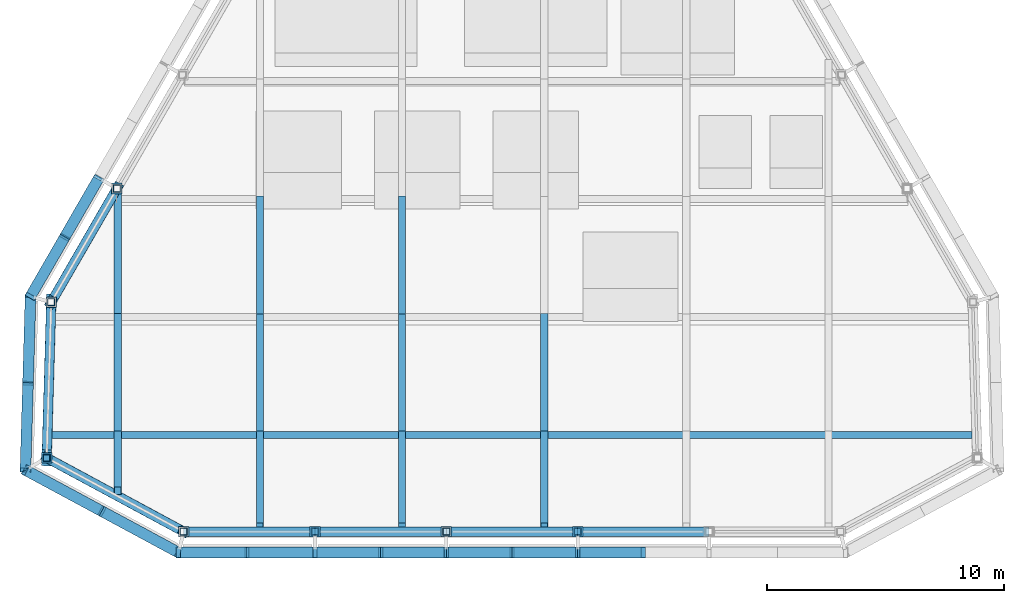
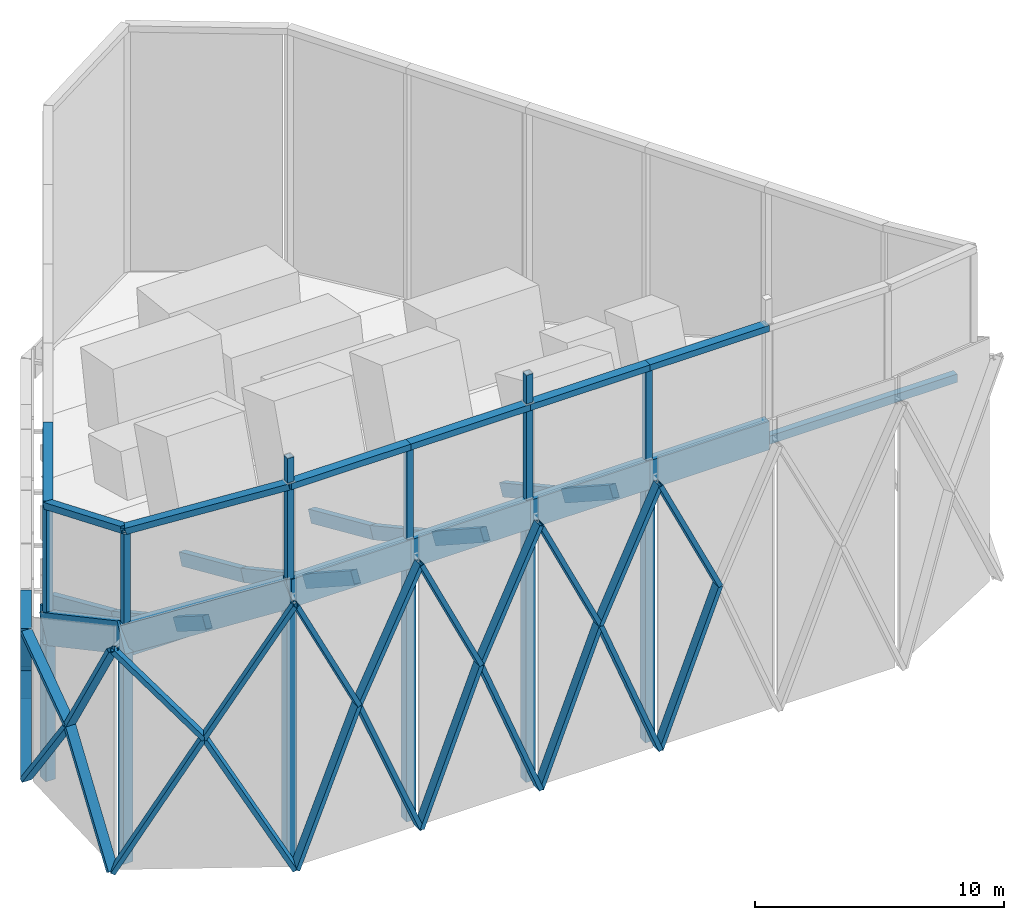
# One storey, part 1 of 13: 53 members, 15 beams.
"""IFC4 building model written with IfcOpenShell, lengths in metres."""

from ifc_helpers import new_model, si_unit, direction, frame, origin, origin_2d, place, context, subcontext, project, spatial, rectangle, hollow_rectangle, extrude, material, material_profile, profile_set, type_object, element, save


model = new_model("IFC4")

# Units and contexts
model_context = context("Model", 3, precision=1e-05, world=origin(), true_north=direction((0.0, 1.0)))
body_context = subcontext(model_context, "Body", "Model", "MODEL_VIEW")
ifc_project = project(units=[si_unit("LENGTHUNIT", "METRE"), si_unit("AREAUNIT", "SQUARE_METRE"), si_unit("VOLUMEUNIT", "CUBIC_METRE"), si_unit("PLANEANGLEUNIT", "RADIAN"), si_unit("MASSUNIT", "GRAM", prefix="KILO")], contexts=[model_context])

# Site, building, storey
site_placement = place(None, origin())
site = spatial("IfcSite", under=ifc_project, at=site_placement, CompositionType="ELEMENT")
building_placement = place(site_placement, origin())
building = spatial("IfcBuilding", under=site, at=building_placement, Name="Firuza Gate Tower and Library", CompositionType="ELEMENT")
storey_placement = place(building_placement, frame((0.0, 0.0, 358.0)))
storey = spatial("IfcBuildingStorey", under=building, at=storey_placement, Name="Upper roof", CompositionType="ELEMENT", Elevation=358.0)

# Beams
ifc_material_1 = material(Name="Steel S355", Category="steel")
ifc_material_profile_1 = material_profile(ifc_material_1, hollow_rectangle(XDim=0.406494140625, YDim=0.3046875, WallThickness=0.01171875, at=origin_2d()))
ifc_profile_set_1 = profile_set([ifc_material_profile_1], Name="Steel S355")
beam_type_1 = type_object("IfcBeamType", Name="Crest cap beam HSS305x406x13", PredefinedType="BEAM", material=ifc_profile_set_1)
beam_1_placement = place(storey_placement, frame((55.55078125, 70.22802734375, 13.00634765625), z_axis=(-0.026783302788, -0.916697724669, 0.398682751417), x_axis=(0.999573451893, -0.029204696052, 0.0)))
element("IfcBeam", 1, at=beam_1_placement, inside=storey, type_object=beam_type_1, Name="Crest cap beam 1", PredefinedType="BEAM", context=body_context, shape_type="SweptSolid", body=[
    extrude(hollow_rectangle(XDim=0.406494140625, YDim=0.3046875, WallThickness=0.01171875, at=origin_2d()), origin(), (0.0, 0.0, 1.0), 7.164794921875),
])
beam_2_placement = place(storey_placement, frame((55.35888671875, 63.66015625, 15.86279296875), z_axis=(0.840553985323, -0.453078147507, 0.296966647974), x_axis=(0.474483099282, 0.880264612771, 0.0)))
element("IfcBeam", 2, at=beam_2_placement, inside=storey, type_object=beam_type_1, Name="Crest cap beam 2", PredefinedType="BEAM", context=body_context, shape_type="SweptSolid", body=[
    extrude(hollow_rectangle(XDim=0.406494140625, YDim=0.3046875, WallThickness=0.01171875, at=origin_2d()), origin(), (0.0, 0.0, 1.0), 6.881103515625),
])
beam_3_placement = place(storey_placement, frame((61.142822265625, 60.54248046875, 17.90625), z_axis=(1.0, 0.0, 0.0), x_axis=(0.0, 1.0, 0.0)))
element("IfcBeam", 3, at=beam_3_placement, inside=storey, type_object=beam_type_1, Name="Crest cap beam 3", PredefinedType="BEAM", context=body_context, shape_type="SweptSolid", body=[
    extrude(hollow_rectangle(XDim=0.406494140625, YDim=0.3046875, WallThickness=0.01171875, at=origin_2d()), origin(), (0.0, 0.0, 1.0), 5.54296875),
])
beam_4_placement = place(storey_placement, frame((66.685791015625, 60.54248046875, 17.90625), z_axis=(1.0, 0.0, 0.0), x_axis=(0.0, 1.0, 0.0)))
element("IfcBeam", 4, at=beam_4_placement, inside=storey, type_object=beam_type_1, Name="Crest cap beam 4", PredefinedType="BEAM", context=body_context, shape_type="SweptSolid", body=[
    extrude(hollow_rectangle(XDim=0.406494140625, YDim=0.3046875, WallThickness=0.01171875, at=origin_2d()), origin(), (0.0, 0.0, 1.0), 5.542724609375),
])
beam_5_placement = place(storey_placement, frame((72.228515625, 60.54248046875, 17.90625), z_axis=(1.0, 0.0, 0.0), x_axis=(0.0, 1.0, 0.0)))
element("IfcBeam", 5, at=beam_5_placement, inside=storey, type_object=beam_type_1, Name="Crest cap beam 5", PredefinedType="BEAM", context=body_context, shape_type="SweptSolid", body=[
    extrude(hollow_rectangle(XDim=0.406494140625, YDim=0.3046875, WallThickness=0.01171875, at=origin_2d()), origin(), (0.0, 0.0, 1.0), 5.54296875),
])
beam_6_placement = place(storey_placement, frame((77.771484375, 60.54248046875, 17.90625), z_axis=(1.0, 0.0, 0.0), x_axis=(0.0, 1.0, 0.0)))
element("IfcBeam", 6, at=beam_6_placement, inside=storey, type_object=beam_type_1, Name="Crest cap beam 6", PredefinedType="BEAM", context=body_context, shape_type="SweptSolid", body=[
    extrude(hollow_rectangle(XDim=0.406494140625, YDim=0.3046875, WallThickness=0.01171875, at=origin_2d()), origin(), (0.0, 0.0, 1.0), 5.542724609375),
])
beam_7_placement = place(storey_placement, frame((58.322265625, 75.0283203125, 13.00634765625), z_axis=(-0.500004591975, -0.86602275259, 0.0), x_axis=(0.86602275259, -0.500004591975, 0.0)))
element("IfcBeam", 7, at=beam_7_placement, inside=storey, type_object=beam_type_1, Name="Crest cap beam 21", PredefinedType="BEAM", context=body_context, shape_type="SweptSolid", body=[
    extrude(hollow_rectangle(XDim=0.406494140625, YDim=0.3046875, WallThickness=0.01171875, at=origin_2d()), origin(), (0.0, 0.0, 1.0), 5.54296875),
])

# Members
ifc_material_2 = material(Name="Steel S355", Category="steel")
ifc_material_profile_2 = material_profile(ifc_material_2, hollow_rectangle(XDim=0.3046875, YDim=0.3046875, WallThickness=0.014892578125, at=origin_2d()))
ifc_profile_set_2 = profile_set([ifc_material_profile_2], Name="Steel S355")
member_type_1 = type_object("IfcMemberType", Name="Crest post HSS305x305x16", PredefinedType="POST", material=ifc_profile_set_2)
member_1_placement = place(storey_placement, frame((55.35888671875, 63.66015625, 11.281005859375), z_axis=(0.0, 0.0, 1.0), x_axis=(1.0, 0.0, 0.0)))
element("IfcMember", 8, at=member_1_placement, inside=storey, type_object=member_type_1, Name="Crest post 2", PredefinedType="POST", context=body_context, shape_type="SweptSolid", body=[
    extrude(hollow_rectangle(XDim=0.3046875, YDim=0.3046875, WallThickness=0.014892578125, at=origin_2d()), origin(), (0.0, 0.0, 1.0), 4.434326171875),
])
for number, where, z_axis, x_axis, name in (
    (9, (61.142822265625, 60.54248046875, 13.353759765625), (0.0, 0.0, 1.0), (1.0, 0.0, 0.0), "Crest post 3"),
    (10, (66.685791015625, 60.54248046875, 13.353759765625), (0.0, 0.0, 1.0), (1.0, 0.0, 0.0), "Crest post 4"),
    (11, (72.228515625, 60.54248046875, 13.353759765625), (0.0, 0.0, 1.0), (1.0, 0.0, 0.0), "Crest post 5"),
    (12, (77.771484375, 60.54248046875, 13.353759765625), (0.0, 0.0, 1.0), (1.0, 0.0, 0.0), "Crest post 6"),
):
    element("IfcMember", number, at=place(storey_placement, frame(where, z_axis=z_axis, x_axis=x_axis)), inside=storey, type_object=member_type_1, Name=name, PredefinedType="POST", context=body_context, shape_type="SweptSolid", body=[
        extrude(hollow_rectangle(XDim=0.3046875, YDim=0.3046875, WallThickness=0.014892578125, at=origin_2d()), origin(), (0.0, 0.0, 1.0), 4.405029296875),
    ])
ifc_material_3 = material(Name="Steel S355", Category="steel")
ifc_material_profile_3 = material_profile(ifc_material_3, hollow_rectangle(XDim=0.457275390625, YDim=0.203125, WallThickness=0.01171875, at=origin_2d()))
ifc_profile_set_3 = profile_set([ifc_material_profile_3], Name="Steel S355")
member_type_2 = type_object("IfcMemberType", Name="Crown lattice bar HSS203x457x13", PredefinedType="BRACE", material=ifc_profile_set_3)
for number, where, z_axis, x_axis, name in (
    (13, (54.67919921875, 70.475341796875, -0.300048828125), (-0.017409707483, -0.595419927456, 0.803226003111), (0.99957280333, -0.029226885618, 0.0), "Crown lattice band bar 1.1a"),
    (14, (54.572021484375, 66.809814453125, 4.644775390625), (-0.017409296389, -0.595445524575, -0.803207036612), (0.999572860194, -0.029224940768, 0.0), "Crown lattice band bar 1.1b"),
):
    element("IfcMember", number, at=place(storey_placement, frame(where, z_axis=z_axis, x_axis=x_axis)), inside=storey, type_object=member_type_2, Name=name, PredefinedType="BRACE", context=body_context, shape_type="SweptSolid", body=[
        extrude(hollow_rectangle(XDim=0.457275390625, YDim=0.203125, WallThickness=0.01171875, at=origin_2d()), origin(), (0.0, 0.0, 1.0), 6.15625),
    ])
member_2_placement = place(storey_placement, frame((54.67919921875, 70.475341796875, 6.963134765625), z_axis=(-0.024704009325, -0.844888373596, -0.534371919253), x_axis=(0.99957280333, -0.029226885618, 0.0)))
element("IfcMember", 15, at=member_2_placement, inside=storey, type_object=member_type_2, Name="Crown lattice band bar 1.2a", PredefinedType="BRACE", context=body_context, shape_type="SweptSolid", body=[
    extrude(hollow_rectangle(XDim=0.457275390625, YDim=0.203125, WallThickness=0.01171875, at=origin_2d()), origin(), (0.0, 0.0, 1.0), 4.33837890625),
])
member_3_placement = place(storey_placement, frame((54.572021484375, 66.809814453125, 4.644775390625), z_axis=(-0.015359961534, -0.525352670698, 0.850745933268), x_axis=(0.999572860194, -0.029224940768, 0.0)))
element("IfcMember", 16, at=member_3_placement, inside=storey, type_object=member_type_2, Name="Crown lattice band bar 1.2b", PredefinedType="BRACE", context=body_context, shape_type="SweptSolid", body=[
    extrude(hollow_rectangle(XDim=0.457275390625, YDim=0.203125, WallThickness=0.01171875, at=origin_2d()), origin(), (0.0, 0.0, 1.0), 6.977783203125),
])
for number, where, z_axis, x_axis, name in (
    (17, (54.46484375, 63.14404296875, -0.300048828125), (0.432039757891, -0.232880604635, 0.871268197277), (0.4744848783, 0.880263653836, 0.0), "Crown lattice band bar 2.1a"),
    (18, (57.69287109375, 61.404052734375, 6.209716796875), (0.432063046, -0.232908219911, -0.871249267075), (0.474508656304, 0.880250836462, 0.0), "Crown lattice band bar 2.1b"),
):
    element("IfcMember", number, at=place(storey_placement, frame(where, z_axis=z_axis, x_axis=x_axis)), inside=storey, type_object=member_type_2, Name=name, PredefinedType="BRACE", context=body_context, shape_type="SweptSolid", body=[
        extrude(hollow_rectangle(XDim=0.457275390625, YDim=0.203125, WallThickness=0.01171875, at=origin_2d()), origin(), (0.0, 0.0, 1.0), 7.4716796875),
    ])
member_4_placement = place(storey_placement, frame((54.46484375, 63.14404296875, 10.5810546875), z_axis=(0.565743457853, -0.304950357292, -0.766119846684), x_axis=(0.4744848783, 0.880263653836, 0.0)))
element("IfcMember", 19, at=member_4_placement, inside=storey, type_object=member_type_2, Name="Crown lattice band bar 2.2a", PredefinedType="BRACE", context=body_context, shape_type="SweptSolid", body=[
    extrude(hollow_rectangle(XDim=0.457275390625, YDim=0.203125, WallThickness=0.01171875, at=origin_2d()), origin(), (0.0, 0.0, 1.0), 5.705810546875),
])
member_5_placement = place(storey_placement, frame((57.69287109375, 61.404052734375, 6.209716796875), z_axis=(0.435393176564, -0.234703362516, 0.869107078228), x_axis=(0.474508656304, 0.880250836462, 0.0)))
element("IfcMember", 20, at=member_5_placement, inside=storey, type_object=member_type_2, Name="Crown lattice band bar 2.2b", PredefinedType="BRACE", context=body_context, shape_type="SweptSolid", body=[
    extrude(hollow_rectangle(XDim=0.457275390625, YDim=0.203125, WallThickness=0.01171875, at=origin_2d()), origin(), (0.0, 0.0, 1.0), 7.41455078125),
])
for number, where, z_axis, x_axis, name in (
    (21, (60.921142578125, 59.663818359375, -0.300048828125), (0.377077734206, 0.0, 0.926181614137), (0.0, 1.0, 0.0), "Crown lattice band bar 3.1a"),
    (22, (63.803466796875, 59.663818359375, 6.779541015625), (0.377077734206, 0.0, -0.926181614137), (0.0, 1.0, 0.0), "Crown lattice band bar 3.1b"),
):
    element("IfcMember", number, at=place(storey_placement, frame(where, z_axis=z_axis, x_axis=x_axis)), inside=storey, type_object=member_type_2, Name=name, PredefinedType="BRACE", context=body_context, shape_type="SweptSolid", body=[
        extrude(hollow_rectangle(XDim=0.457275390625, YDim=0.203125, WallThickness=0.01171875, at=origin_2d()), origin(), (0.0, 0.0, 1.0), 7.643798828125),
    ])
for number, where, z_axis, x_axis, name in (
    (23, (60.921142578125, 59.663818359375, 12.65380859375), (0.440499893541, 0.0, -0.897752662926), (0.0, 1.0, 0.0), "Crown lattice band bar 3.2a"),
    (24, (63.803466796875, 59.663818359375, 6.779541015625), (0.440499893541, 0.0, 0.897752662926), (0.0, 1.0, 0.0), "Crown lattice band bar 3.2b"),
):
    element("IfcMember", number, at=place(storey_placement, frame(where, z_axis=z_axis, x_axis=x_axis)), inside=storey, type_object=member_type_2, Name=name, PredefinedType="BRACE", context=body_context, shape_type="SweptSolid", body=[
        extrude(hollow_rectangle(XDim=0.457275390625, YDim=0.203125, WallThickness=0.01171875, at=origin_2d()), origin(), (0.0, 0.0, 1.0), 6.543212890625),
    ])
member_6_placement = place(storey_placement, frame((66.685791015625, 59.663818359375, -0.300048828125), z_axis=(0.364509528919, 0.0, 0.931199658144), x_axis=(0.0, 1.0, 0.0)))
element("IfcMember", 25, at=member_6_placement, inside=storey, type_object=member_type_2, Name="Crown lattice band bar 4.1a", PredefinedType="BRACE", context=body_context, shape_type="SweptSolid", body=[
    extrude(hollow_rectangle(XDim=0.457275390625, YDim=0.203125, WallThickness=0.01171875, at=origin_2d()), origin(), (0.0, 0.0, 1.0), 7.6025390625),
])
member_7_placement = place(storey_placement, frame((69.45703125, 59.663818359375, 6.779541015625), z_axis=(0.364537374274, 0.0, -0.931188757856), x_axis=(0.0, 1.0, 0.0)))
element("IfcMember", 26, at=member_7_placement, inside=storey, type_object=member_type_2, Name="Crown lattice band bar 4.1b", PredefinedType="BRACE", context=body_context, shape_type="SweptSolid", body=[
    extrude(hollow_rectangle(XDim=0.457275390625, YDim=0.203125, WallThickness=0.01171875, at=origin_2d()), origin(), (0.0, 0.0, 1.0), 7.602783203125),
])
member_8_placement = place(storey_placement, frame((66.685791015625, 59.663818359375, 12.65380859375), z_axis=(0.426663925533, 0.0, -0.904410246873), x_axis=(0.0, 1.0, 0.0)))
element("IfcMember", 27, at=member_8_placement, inside=storey, type_object=member_type_2, Name="Crown lattice band bar 4.2a", PredefinedType="BRACE", context=body_context, shape_type="SweptSolid", body=[
    extrude(hollow_rectangle(XDim=0.457275390625, YDim=0.203125, WallThickness=0.01171875, at=origin_2d()), origin(), (0.0, 0.0, 1.0), 6.4951171875),
])
member_9_placement = place(storey_placement, frame((69.45703125, 59.663818359375, 6.779541015625), z_axis=(0.426694670378, 0.0, 0.904395742068), x_axis=(0.0, 1.0, 0.0)))
element("IfcMember", 28, at=member_9_placement, inside=storey, type_object=member_type_2, Name="Crown lattice band bar 4.2b", PredefinedType="BRACE", context=body_context, shape_type="SweptSolid", body=[
    extrude(hollow_rectangle(XDim=0.457275390625, YDim=0.203125, WallThickness=0.01171875, at=origin_2d()), origin(), (0.0, 0.0, 1.0), 6.495361328125),
])
for number, where, z_axis, x_axis, name in (
    (29, (72.228515625, 59.663818359375, -0.300048828125), (0.364537374274, 0.0, 0.931188757856), (0.0, 1.0, 0.0), "Crown lattice band bar 5.1a"),
    (30, (75.0, 59.663818359375, 6.779541015625), (0.364537374274, 0.0, -0.931188757856), (0.0, 1.0, 0.0), "Crown lattice band bar 5.1b"),
):
    element("IfcMember", number, at=place(storey_placement, frame(where, z_axis=z_axis, x_axis=x_axis)), inside=storey, type_object=member_type_2, Name=name, PredefinedType="BRACE", context=body_context, shape_type="SweptSolid", body=[
        extrude(hollow_rectangle(XDim=0.457275390625, YDim=0.203125, WallThickness=0.01171875, at=origin_2d()), origin(), (0.0, 0.0, 1.0), 7.602783203125),
    ])
for number, where, z_axis, x_axis, name in (
    (31, (72.228515625, 59.663818359375, 12.65380859375), (0.426694670378, 0.0, -0.904395742068), (0.0, 1.0, 0.0), "Crown lattice band bar 5.2a"),
    (32, (75.0, 59.663818359375, 6.779541015625), (0.426694670378, 0.0, 0.904395742068), (0.0, 1.0, 0.0), "Crown lattice band bar 5.2b"),
):
    element("IfcMember", number, at=place(storey_placement, frame(where, z_axis=z_axis, x_axis=x_axis)), inside=storey, type_object=member_type_2, Name=name, PredefinedType="BRACE", context=body_context, shape_type="SweptSolid", body=[
        extrude(hollow_rectangle(XDim=0.457275390625, YDim=0.203125, WallThickness=0.01171875, at=origin_2d()), origin(), (0.0, 0.0, 1.0), 6.495361328125),
    ])
member_10_placement = place(storey_placement, frame((77.771484375, 59.663818359375, -0.300048828125), z_axis=(0.364537374274, 0.0, 0.931188757856), x_axis=(0.0, 1.0, 0.0)))
element("IfcMember", 33, at=member_10_placement, inside=storey, type_object=member_type_2, Name="Crown lattice band bar 6.1a", PredefinedType="BRACE", context=body_context, shape_type="SweptSolid", body=[
    extrude(hollow_rectangle(XDim=0.457275390625, YDim=0.203125, WallThickness=0.01171875, at=origin_2d()), origin(), (0.0, 0.0, 1.0), 7.602783203125),
])
member_11_placement = place(storey_placement, frame((77.771484375, 59.663818359375, 12.65380859375), z_axis=(0.426694670378, 0.0, -0.904395742068), x_axis=(0.0, 1.0, 0.0)))
element("IfcMember", 34, at=member_11_placement, inside=storey, type_object=member_type_2, Name="Crown lattice band bar 6.2a", PredefinedType="BRACE", context=body_context, shape_type="SweptSolid", body=[
    extrude(hollow_rectangle(XDim=0.457275390625, YDim=0.203125, WallThickness=0.01171875, at=origin_2d()), origin(), (0.0, 0.0, 1.0), 6.495361328125),
])
for number, where, z_axis, x_axis, name in (
    (35, (57.561279296875, 75.4677734375, -0.300048828125), (-0.324519074441, -0.562217474782, 0.760656874927), (0.866076985468, -0.49991064726, 0.0), "Crown lattice band bar 21.1a"),
    (36, (56.120361328125, 72.971435546875, 3.077392578125), (-0.324578300239, -0.562169835955, -0.760666814417), (0.866019137337, -0.500010853648, 0.0), "Crown lattice band bar 21.1b"),
):
    element("IfcMember", number, at=place(storey_placement, frame(where, z_axis=z_axis, x_axis=x_axis)), inside=storey, type_object=member_type_2, Name=name, PredefinedType="BRACE", context=body_context, shape_type="SweptSolid", body=[
        extrude(hollow_rectangle(XDim=0.457275390625, YDim=0.203125, WallThickness=0.01171875, at=origin_2d()), origin(), (0.0, 0.0, 1.0), 4.440185546875),
    ])
member_12_placement = place(storey_placement, frame((57.561279296875, 75.4677734375, 4.881591796875), z_axis=(-0.423742914411, -0.734119162971, -0.530576099203), x_axis=(0.866076985468, -0.49991064726, 0.0)))
element("IfcMember", 37, at=member_12_placement, inside=storey, type_object=member_type_2, Name="Crown lattice band bar 21.2a", PredefinedType="BRACE", context=body_context, shape_type="SweptSolid", body=[
    extrude(hollow_rectangle(XDim=0.457275390625, YDim=0.203125, WallThickness=0.01171875, at=origin_2d()), origin(), (0.0, 0.0, 1.0), 3.400390625),
])
member_13_placement = place(storey_placement, frame((56.120361328125, 72.971435546875, 3.077392578125), z_axis=(-0.297882709805, -0.515933055234, 0.803168085593), x_axis=(0.866019137337, -0.500010853648, 0.0)))
element("IfcMember", 38, at=member_13_placement, inside=storey, type_object=member_type_2, Name="Crown lattice band bar 21.2b", PredefinedType="BRACE", context=body_context, shape_type="SweptSolid", body=[
    extrude(hollow_rectangle(XDim=0.457275390625, YDim=0.203125, WallThickness=0.01171875, at=origin_2d()), origin(), (0.0, 0.0, 1.0), 4.838134765625),
])

# Beams
ifc_material_4 = material(Name="Concrete C60/75", Category="concrete")
ifc_material_profile_4 = material_profile(ifc_material_4, rectangle(XDim=0.39990234375, YDim=1.39990234375, at=origin_2d()))
ifc_profile_set_4 = profile_set([ifc_material_profile_4], Name="Concrete C60/75")
beam_type_2 = type_object("IfcBeamType", Name="Crown roof edge beam 400x1400", PredefinedType="BEAM", material=ifc_profile_set_4)
beam_8_placement = place(storey_placement, frame((55.55078125, 70.22802734375, 6.963134765625), z_axis=(-0.025582958958, -0.875614200883, 0.482333166414), x_axis=(0.999573451893, -0.029204696052, 0.0)))
element("IfcBeam", 39, at=beam_8_placement, inside=storey, type_object=beam_type_2, Name="Crown roof edge beam 1", PredefinedType="BEAM", context=body_context, shape_type="SweptSolid", body=[
    extrude(rectangle(XDim=0.39990234375, YDim=1.39990234375, at=origin_2d()), origin(), (0.0, 0.0, 1.0), 7.5009765625),
])
beam_9_placement = place(storey_placement, frame((55.35888671875, 63.66015625, 10.5810546875), z_axis=(0.839485643391, -0.452502286358, 0.300841379105), x_axis=(0.474483099282, 0.880264612771, 0.0)))
element("IfcBeam", 40, at=beam_9_placement, inside=storey, type_object=beam_type_2, Name="Crown roof edge beam 2", PredefinedType="BEAM", context=body_context, shape_type="SweptSolid", body=[
    extrude(rectangle(XDim=0.39990234375, YDim=1.39990234375, at=origin_2d()), origin(), (0.0, 0.0, 1.0), 6.889892578125),
])
beam_10_placement = place(storey_placement, frame((61.142822265625, 60.54248046875, 12.65380859375), z_axis=(1.0, 0.0, 0.0), x_axis=(0.0, 1.0, 0.0)))
element("IfcBeam", 41, at=beam_10_placement, inside=storey, type_object=beam_type_2, Name="Crown roof edge beam 3", PredefinedType="BEAM", context=body_context, shape_type="SweptSolid", body=[
    extrude(rectangle(XDim=0.39990234375, YDim=1.39990234375, at=origin_2d()), origin(), (0.0, 0.0, 1.0), 5.54296875),
])
beam_11_placement = place(storey_placement, frame((66.685791015625, 60.54248046875, 12.65380859375), z_axis=(1.0, 0.0, 0.0), x_axis=(0.0, 1.0, 0.0)))
element("IfcBeam", 42, at=beam_11_placement, inside=storey, type_object=beam_type_2, Name="Crown roof edge beam 4", PredefinedType="BEAM", context=body_context, shape_type="SweptSolid", body=[
    extrude(rectangle(XDim=0.39990234375, YDim=1.39990234375, at=origin_2d()), origin(), (0.0, 0.0, 1.0), 5.542724609375),
])
beam_12_placement = place(storey_placement, frame((72.228515625, 60.54248046875, 12.65380859375), z_axis=(1.0, 0.0, 0.0), x_axis=(0.0, 1.0, 0.0)))
element("IfcBeam", 43, at=beam_12_placement, inside=storey, type_object=beam_type_2, Name="Crown roof edge beam 5", PredefinedType="BEAM", context=body_context, shape_type="SweptSolid", body=[
    extrude(rectangle(XDim=0.39990234375, YDim=1.39990234375, at=origin_2d()), origin(), (0.0, 0.0, 1.0), 5.54296875),
])
beam_13_placement = place(storey_placement, frame((77.771484375, 60.54248046875, 12.65380859375), z_axis=(1.0, 0.0, 0.0), x_axis=(0.0, 1.0, 0.0)))
element("IfcBeam", 44, at=beam_13_placement, inside=storey, type_object=beam_type_2, Name="Crown roof edge beam 6", PredefinedType="BEAM", context=body_context, shape_type="SweptSolid", body=[
    extrude(rectangle(XDim=0.39990234375, YDim=1.39990234375, at=origin_2d()), origin(), (0.0, 0.0, 1.0), 5.542724609375),
])
beam_14_placement = place(storey_placement, frame((58.322265625, 75.0283203125, 4.881591796875), z_axis=(-0.468086968677, -0.81074048433, 0.351560033028), x_axis=(0.86602275259, -0.500004591975, 0.0)))
element("IfcBeam", 45, at=beam_14_placement, inside=storey, type_object=beam_type_2, Name="Crown roof edge beam 21", PredefinedType="BEAM", context=body_context, shape_type="SweptSolid", body=[
    extrude(rectangle(XDim=0.39990234375, YDim=1.39990234375, at=origin_2d()), origin(), (0.0, 0.0, 1.0), 5.9208984375),
])

# Members
ifc_material_5 = material(Name="Concrete C60/75", Category="concrete")
ifc_material_profile_5 = material_profile(ifc_material_5, rectangle(XDim=0.449951171875, YDim=0.449951171875, at=origin_2d()))
ifc_profile_set_5 = profile_set([ifc_material_profile_5], Name="Concrete C60/75")
member_type_3 = type_object("IfcMemberType", Name="Crown roof post 450x450", PredefinedType="POST", material=ifc_profile_set_5)
member_14_placement = place(storey_placement, frame((55.55078125, 70.22802734375, -0.39990234375), z_axis=(0.0, 0.0, 1.0), x_axis=(1.0, 0.0, 0.0)))
element("IfcMember", 46, at=member_14_placement, inside=storey, type_object=member_type_3, Name="Crown roof post 1", PredefinedType="POST", context=body_context, shape_type="SweptSolid", body=[
    extrude(rectangle(XDim=0.449951171875, YDim=0.449951171875, at=origin_2d()), origin(), (0.0, 0.0, 1.0), 6.6630859375),
])
member_15_placement = place(storey_placement, frame((55.35888671875, 63.66015625, -0.39990234375), z_axis=(0.0, 0.0, 1.0), x_axis=(1.0, 0.0, 0.0)))
element("IfcMember", 47, at=member_15_placement, inside=storey, type_object=member_type_3, Name="Crown roof post 2", PredefinedType="POST", context=body_context, shape_type="SweptSolid", body=[
    extrude(rectangle(XDim=0.449951171875, YDim=0.449951171875, at=origin_2d()), origin(), (0.0, 0.0, 1.0), 10.281005859375),
])
for number, where, z_axis, x_axis, name in (
    (48, (61.142822265625, 60.54248046875, -0.39990234375), (0.0, 0.0, 1.0), (1.0, 0.0, 0.0), "Crown roof post 3"),
    (49, (66.685791015625, 60.54248046875, -0.39990234375), (0.0, 0.0, 1.0), (1.0, 0.0, 0.0), "Crown roof post 4"),
    (50, (72.228515625, 60.54248046875, -0.39990234375), (0.0, 0.0, 1.0), (1.0, 0.0, 0.0), "Crown roof post 5"),
    (51, (77.771484375, 60.54248046875, -0.39990234375), (0.0, 0.0, 1.0), (1.0, 0.0, 0.0), "Crown roof post 6"),
):
    element("IfcMember", number, at=place(storey_placement, frame(where, z_axis=z_axis, x_axis=x_axis)), inside=storey, type_object=member_type_3, Name=name, PredefinedType="POST", context=body_context, shape_type="SweptSolid", body=[
        extrude(rectangle(XDim=0.449951171875, YDim=0.449951171875, at=origin_2d()), origin(), (0.0, 0.0, 1.0), 12.353759765625),
    ])
member_16_placement = place(storey_placement, frame((58.322265625, 75.0283203125, -0.39990234375), z_axis=(0.0, 0.0, 1.0), x_axis=(1.0, 0.0, 0.0)))
element("IfcMember", 52, at=member_16_placement, inside=storey, type_object=member_type_3, Name="Crown roof post 21", PredefinedType="POST", context=body_context, shape_type="SweptSolid", body=[
    extrude(rectangle(XDim=0.449951171875, YDim=0.449951171875, at=origin_2d()), origin(), (0.0, 0.0, 1.0), 4.581298828125),
])
ifc_material_6 = material(Name="Steel S355", Category="steel")
ifc_material_profile_6 = material_profile(ifc_material_6, hollow_rectangle(XDim=0.3046875, YDim=0.3046875, WallThickness=0.014892578125, at=origin_2d()))
ifc_profile_set_6 = profile_set([ifc_material_profile_6], Name="Steel S355")
member_type_4 = type_object("IfcMemberType", Name="Finial mast HSS305x305x16", PredefinedType="POST", material=ifc_profile_set_6)
member_17_placement = place(storey_placement, frame((55.55078125, 70.22802734375, 7.703125), z_axis=(0.0, 0.0, 1.0), x_axis=(1.0, 0.0, 0.0)))
element("IfcMember", 53, at=member_17_placement, inside=storey, type_object=member_type_4, Name="Finial mast 1", PredefinedType="POST", context=body_context, shape_type="SweptSolid", body=[
    extrude(hollow_rectangle(XDim=0.3046875, YDim=0.3046875, WallThickness=0.014892578125, at=origin_2d()), origin(), (0.0, 0.0, 1.0), 5.15576171875),
])
member_18_placement = place(storey_placement, frame((61.142822265625, 60.54248046875, 18.0986328125), z_axis=(0.0, 0.0, 1.0), x_axis=(1.0, 0.0, 0.0)))
element("IfcMember", 54, at=member_18_placement, inside=storey, type_object=member_type_4, Name="Finial mast 3", PredefinedType="POST", context=body_context, shape_type="SweptSolid", body=[
    extrude(hollow_rectangle(XDim=0.3046875, YDim=0.3046875, WallThickness=0.014892578125, at=origin_2d()), origin(), (0.0, 0.0, 1.0), 1.199951171875),
])
member_19_placement = place(storey_placement, frame((72.228515625, 60.54248046875, 18.0986328125), z_axis=(0.0, 0.0, 1.0), x_axis=(1.0, 0.0, 0.0)))
element("IfcMember", 55, at=member_19_placement, inside=storey, type_object=member_type_4, Name="Finial mast 5", PredefinedType="POST", context=body_context, shape_type="SweptSolid", body=[
    extrude(hollow_rectangle(XDim=0.3046875, YDim=0.3046875, WallThickness=0.014892578125, at=origin_2d()), origin(), (0.0, 0.0, 1.0), 1.39990234375),
])
member_20_placement = place(storey_placement, frame((58.322265625, 75.0283203125, 5.62158203125), z_axis=(0.0, 0.0, 1.0), x_axis=(1.0, 0.0, 0.0)))
element("IfcMember", 56, at=member_20_placement, inside=storey, type_object=member_type_4, Name="Finial mast 21", PredefinedType="POST", context=body_context, shape_type="SweptSolid", body=[
    extrude(hollow_rectangle(XDim=0.3046875, YDim=0.3046875, WallThickness=0.014892578125, at=origin_2d()), origin(), (0.0, 0.0, 1.0), 7.2373046875),
])

# Beam
ifc_material_7 = material(Name="Steel S355", Category="steel")
ifc_material_profile_7 = material_profile(ifc_material_7, hollow_rectangle(XDim=0.3046875, YDim=0.406494140625, WallThickness=0.01171875, at=origin_2d()))
ifc_profile_set_7 = profile_set([ifc_material_profile_7], Name="Steel S355")
beam_type_3 = type_object("IfcBeamType", Name="Roof arc girder HSS406x305x13", PredefinedType="BEAM", material=ifc_profile_set_7)
beam_15_placement = place(storey_placement, frame((55.587158203125, 64.6220703125, 9.07763671875), z_axis=(1.0, 0.0, 0.0), x_axis=(0.0, 1.0, 0.0)))
element("IfcBeam", 57, at=beam_15_placement, inside=storey, type_object=beam_type_3, Name="Roof arc girder 2", PredefinedType="BEAM", context=body_context, shape_type="SweptSolid", body=[
    extrude(hollow_rectangle(XDim=0.3046875, YDim=0.406494140625, WallThickness=0.01171875, at=origin_2d()), origin(), (0.0, 0.0, 1.0), 38.82568359375),
])

# Members
ifc_material_8 = material(Name="Steel S355", Category="steel")
ifc_material_profile_8 = material_profile(ifc_material_8, hollow_rectangle(XDim=0.3046875, YDim=0.609619140625, WallThickness=0.01171875, at=origin_2d()))
ifc_profile_set_8 = profile_set([ifc_material_profile_8], Name="Steel S355")
member_type_5 = type_object("IfcMemberType", Name="Roof arc rib HSS610x305x13", PredefinedType="USERDEFINED", material=ifc_profile_set_8)
member_21_placement = place(storey_placement, frame((58.35888671875, 62.270263671875, 11.069580078125), z_axis=(0.0, 0.845726647279, -0.533616377262), x_axis=(-1.0, 0.0, 0.0)))
element("IfcMember", 58, at=member_21_placement, inside=storey, type_object=member_type_5, Name="Roof arc rib 1", ObjectType="ARCH RIB", PredefinedType="USERDEFINED", context=body_context, shape_type="SweptSolid", body=[
    extrude(hollow_rectangle(XDim=0.3046875, YDim=0.609619140625, WallThickness=0.01171875, at=origin_2d()), origin(), (0.0, 0.0, 1.0), 2.78076171875),
])
member_22_placement = place(storey_placement, frame((58.35888671875, 64.6220703125, 9.585693359375), z_axis=(0.0, 0.877436495041, -0.479692815424), x_axis=(-1.0, 0.0, 0.0)))
element("IfcMember", 59, at=member_22_placement, inside=storey, type_object=member_type_5, Name="Roof arc rib 1", ObjectType="ARCH RIB", PredefinedType="USERDEFINED", context=body_context, shape_type="SweptSolid", body=[
    extrude(hollow_rectangle(XDim=0.3046875, YDim=0.609619140625, WallThickness=0.01171875, at=origin_2d()), origin(), (0.0, 0.0, 1.0), 5.67529296875),
])
member_23_placement = place(storey_placement, frame((58.35888671875, 69.601806640625, 6.86328125), z_axis=(0.0, 0.914295566965, -0.405047671551), x_axis=(-1.0, 0.0, 0.0)))
element("IfcMember", 60, at=member_23_placement, inside=storey, type_object=member_type_5, Name="Roof arc rib 1", ObjectType="ARCH RIB", PredefinedType="USERDEFINED", context=body_context, shape_type="SweptSolid", body=[
    extrude(hollow_rectangle(XDim=0.3046875, YDim=0.609619140625, WallThickness=0.01171875, at=origin_2d()), origin(), (0.0, 0.0, 1.0), 5.56689453125),
])
member_24_placement = place(storey_placement, frame((64.35888671875, 60.742431640625, 12.1083984375), z_axis=(0.0, 0.838350793803, -0.545131127831), x_axis=(-1.0, 0.0, 0.0)))
element("IfcMember", 61, at=member_24_placement, inside=storey, type_object=member_type_5, Name="Roof arc rib 2", ObjectType="ARCH RIB", PredefinedType="USERDEFINED", context=body_context, shape_type="SweptSolid", body=[
    extrude(hollow_rectangle(XDim=0.3046875, YDim=0.609619140625, WallThickness=0.01171875, at=origin_2d()), origin(), (0.0, 0.0, 1.0), 4.627685546875),
])
member_25_placement = place(storey_placement, frame((64.35888671875, 64.6220703125, 9.585693359375), z_axis=(0.0, 0.877436495041, -0.479692815424), x_axis=(-1.0, 0.0, 0.0)))
element("IfcMember", 62, at=member_25_placement, inside=storey, type_object=member_type_5, Name="Roof arc rib 2", ObjectType="ARCH RIB", PredefinedType="USERDEFINED", context=body_context, shape_type="SweptSolid", body=[
    extrude(hollow_rectangle(XDim=0.3046875, YDim=0.609619140625, WallThickness=0.01171875, at=origin_2d()), origin(), (0.0, 0.0, 1.0), 5.67529296875),
])
member_26_placement = place(storey_placement, frame((64.35888671875, 69.601806640625, 6.86328125), z_axis=(0.0, 0.913950077064, -0.405826633719), x_axis=(-1.0, 0.0, 0.0)))
element("IfcMember", 63, at=member_26_placement, inside=storey, type_object=member_type_5, Name="Roof arc rib 2", ObjectType="ARCH RIB", PredefinedType="USERDEFINED", context=body_context, shape_type="SweptSolid", body=[
    extrude(hollow_rectangle(XDim=0.3046875, YDim=0.609619140625, WallThickness=0.01171875, at=origin_2d()), origin(), (0.0, 0.0, 1.0), 5.448486328125),
])
member_27_placement = place(storey_placement, frame((70.35888671875, 60.742431640625, 12.1083984375), z_axis=(0.0, 0.838350793803, -0.545131127831), x_axis=(-1.0, 0.0, 0.0)))
element("IfcMember", 64, at=member_27_placement, inside=storey, type_object=member_type_5, Name="Roof arc rib 3", ObjectType="ARCH RIB", PredefinedType="USERDEFINED", context=body_context, shape_type="SweptSolid", body=[
    extrude(hollow_rectangle(XDim=0.3046875, YDim=0.609619140625, WallThickness=0.01171875, at=origin_2d()), origin(), (0.0, 0.0, 1.0), 4.627685546875),
])
member_28_placement = place(storey_placement, frame((70.35888671875, 64.6220703125, 9.585693359375), z_axis=(0.0, 0.877436495041, -0.479692815424), x_axis=(-1.0, 0.0, 0.0)))
element("IfcMember", 65, at=member_28_placement, inside=storey, type_object=member_type_5, Name="Roof arc rib 3", ObjectType="ARCH RIB", PredefinedType="USERDEFINED", context=body_context, shape_type="SweptSolid", body=[
    extrude(hollow_rectangle(XDim=0.3046875, YDim=0.609619140625, WallThickness=0.01171875, at=origin_2d()), origin(), (0.0, 0.0, 1.0), 5.67529296875),
])
member_29_placement = place(storey_placement, frame((70.35888671875, 69.601806640625, 6.86328125), z_axis=(0.0, 0.913950077064, -0.405826633719), x_axis=(-1.0, 0.0, 0.0)))
element("IfcMember", 66, at=member_29_placement, inside=storey, type_object=member_type_5, Name="Roof arc rib 3", ObjectType="ARCH RIB", PredefinedType="USERDEFINED", context=body_context, shape_type="SweptSolid", body=[
    extrude(hollow_rectangle(XDim=0.3046875, YDim=0.609619140625, WallThickness=0.01171875, at=origin_2d()), origin(), (0.0, 0.0, 1.0), 5.448486328125),
])
member_30_placement = place(storey_placement, frame((76.35888671875, 60.742431640625, 12.1083984375), z_axis=(0.0, 0.838350793803, -0.545131127831), x_axis=(-1.0, 0.0, 0.0)))
element("IfcMember", 67, at=member_30_placement, inside=storey, type_object=member_type_5, Name="Roof arc rib 4", ObjectType="ARCH RIB", PredefinedType="USERDEFINED", context=body_context, shape_type="SweptSolid", body=[
    extrude(hollow_rectangle(XDim=0.3046875, YDim=0.609619140625, WallThickness=0.01171875, at=origin_2d()), origin(), (0.0, 0.0, 1.0), 4.627685546875),
])
member_31_placement = place(storey_placement, frame((76.35888671875, 64.6220703125, 9.585693359375), z_axis=(0.0, 0.877436495041, -0.479692815424), x_axis=(-1.0, 0.0, 0.0)))
element("IfcMember", 68, at=member_31_placement, inside=storey, type_object=member_type_5, Name="Roof arc rib 4", ObjectType="ARCH RIB", PredefinedType="USERDEFINED", context=body_context, shape_type="SweptSolid", body=[
    extrude(hollow_rectangle(XDim=0.3046875, YDim=0.609619140625, WallThickness=0.01171875, at=origin_2d()), origin(), (0.0, 0.0, 1.0), 5.67529296875),
])

save(model, "model.ifc")
